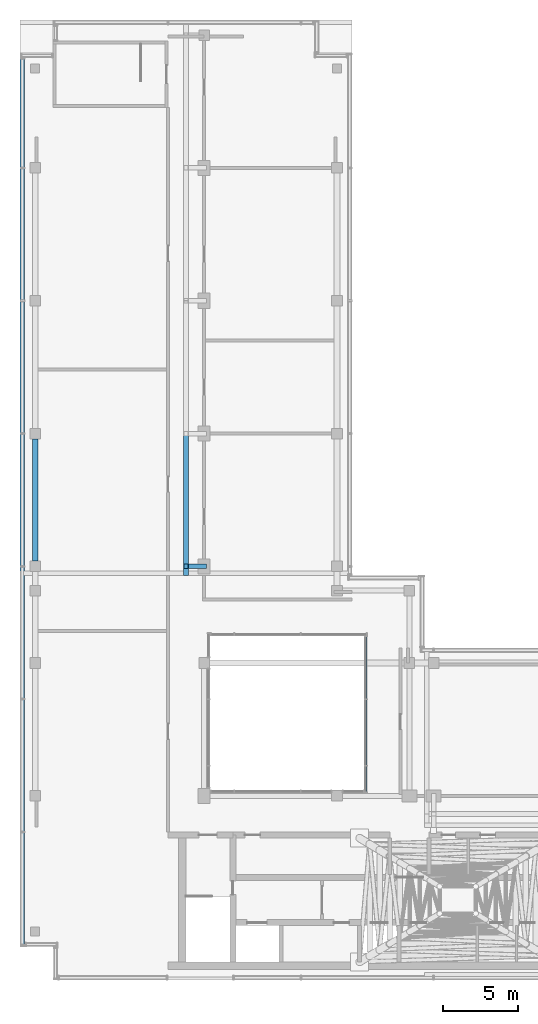
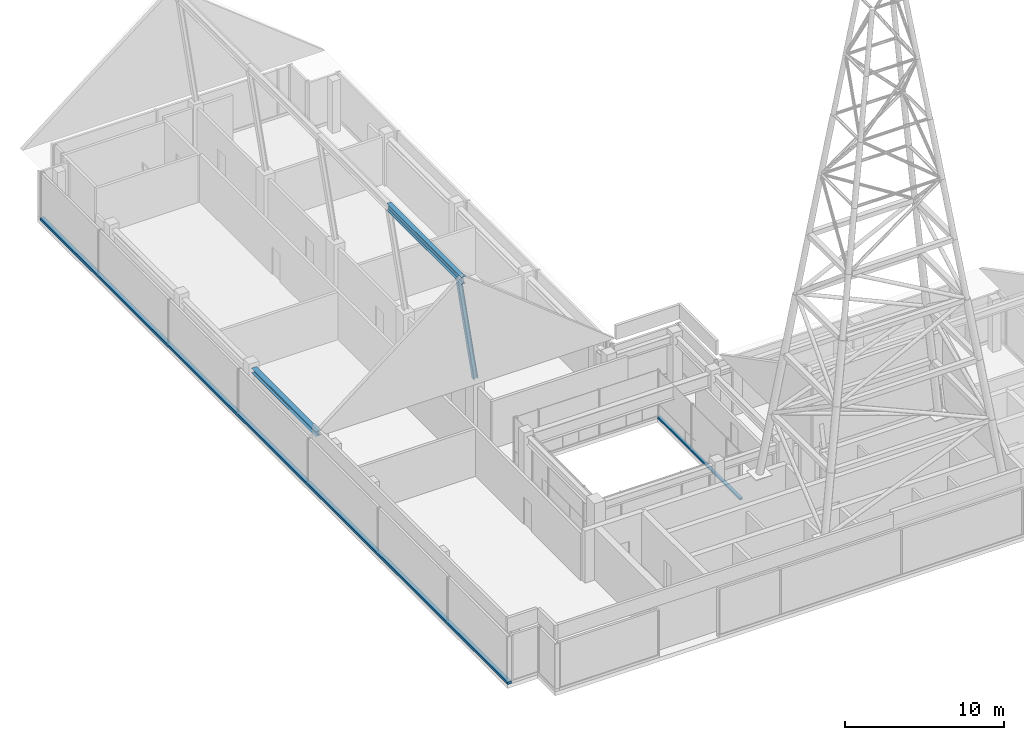
# One storey, part 5 of 13: 3 members, 2 beams, 2 elements without a shape of their own.
"""IFC4 building model written with IfcOpenShell, lengths in metres."""

from ifc_helpers import new_model, si_unit, direction, frame, origin, origin_2d, place, context, subcontext, project, spatial, rectangle, i_section, extrude, material, material_profile, profile_set, type_object, element, aggregate, save


model = new_model("IFC4")

# Units and contexts
model_context = context("Model", 3, precision=1e-05, world=origin(), true_north=direction((0.0, 1.0)))
body_context = subcontext(model_context, "Body", "Model", "MODEL_VIEW")
ifc_project = project(units=[si_unit("LENGTHUNIT", "METRE"), si_unit("AREAUNIT", "SQUARE_METRE"), si_unit("VOLUMEUNIT", "CUBIC_METRE"), si_unit("PLANEANGLEUNIT", "RADIAN"), si_unit("MASSUNIT", "GRAM", prefix="KILO")], contexts=[model_context])

# Site, building, storey
site_placement = place(None, origin())
site = spatial("IfcSite", under=ifc_project, at=site_placement, CompositionType="ELEMENT")
building_placement = place(site_placement, origin())
building = spatial("IfcBuilding", under=site, at=building_placement, Name="Kemantara Hotel Tower", CompositionType="ELEMENT")
storey_placement = place(building_placement, frame((0.0, 0.0, 330.199951171875)))
storey = spatial("IfcBuildingStorey", under=building, at=storey_placement, Name="L83", CompositionType="ELEMENT", Elevation=330.199951171875)

# Curtain wall, member
ifc_material_1 = material(Name="Clear low-iron laminated glass 36 mm", Category="glass")
curtain_wall_type_1 = type_object("IfcCurtainWallType", Name="ATRIUM GLAZING WALL", PredefinedType="USERDEFINED", material=ifc_material_1)
curtain_wall_1_placement = place(storey_placement, origin())
curtain_wall_1 = element("IfcCurtainWall", 1, at=curtain_wall_1_placement, inside=storey, type_object=curtain_wall_type_1, Name="CW5 L83 ATR-R1-1", ObjectType="ATRIUM GLAZING WALL", PredefinedType="USERDEFINED")
ifc_material_2 = material(Name="Aluminium 6063-T6 bronze anodised", Category="aluminium")
ifc_material_profile_1 = material_profile(ifc_material_2, rectangle(XDim=0.199951171875, YDim=0.14990234375, at=origin_2d()), Name="ATRIUM GLAZING WALL TRANSOM")
ifc_profile_set_1 = profile_set([ifc_material_profile_1], Name="Aluminium 6063-T6 bronze anodised")
member_type_1 = type_object("IfcMemberType", Name="ATRIUM GLAZING WALL TRANSOM", PredefinedType="USERDEFINED", material=ifc_profile_set_1)
member_1_placement = place(storey_placement, frame((22.89990234375, 22.800048828125, 0.074951171875), z_axis=(0.0, -1.0, 0.0), x_axis=(1.0, 0.0, 0.0)))
member_1 = element("IfcMember", 2, at=member_1_placement, type_object=member_type_1, Name="CW5 sill transom ATR-R1-1", ObjectType="TRANSOM", PredefinedType="USERDEFINED", context=body_context, shape_type="SweptSolid", body=[
    extrude(rectangle(XDim=0.199951171875, YDim=0.14990234375, at=origin_2d()), origin(), (0.0, 0.0, 1.0), 10.400146484375),
])
aggregate(curtain_wall_1, [member_1])

curtain_wall_type_2 = type_object("IfcCurtainWallType", Name="CROWN LOUVRE SCREEN WALL", PredefinedType="USERDEFINED", material=ifc_material_2)
curtain_wall_2_placement = place(storey_placement, origin())
curtain_wall_2 = element("IfcCurtainWall", 3, at=curtain_wall_2_placement, inside=storey, type_object=curtain_wall_type_2, Name="CW7 L83 CRN-R05-1", ObjectType="CROWN LOUVRE SCREEN WALL", PredefinedType="USERDEFINED")
ifc_material_profile_2 = material_profile(ifc_material_2, rectangle(XDim=0.300048828125, YDim=0.199951171875, at=origin_2d()), Name="CROWN LOUVRE SCREEN WALL TRANSOM")
ifc_profile_set_2 = profile_set([ifc_material_profile_2], Name="Aluminium 6063-T6 bronze anodised")
member_type_2 = type_object("IfcMemberType", Name="CROWN LOUVRE SCREEN WALL TRANSOM", PredefinedType="USERDEFINED", material=ifc_profile_set_2)
member_2_placement = place(storey_placement, frame((0.14990234375, 61.10009765625, 0.10009765625), z_axis=(0.0, -1.0, 0.0), x_axis=(1.0, 0.0, 0.0)))
member_2 = element("IfcMember", 4, at=member_2_placement, type_object=member_type_2, Name="CW7 sill transom CRN-R05-1", ObjectType="TRANSOM", PredefinedType="USERDEFINED", context=body_context, shape_type="SweptSolid", body=[
    extrude(rectangle(XDim=0.300048828125, YDim=0.199951171875, at=origin_2d()), origin(), (0.0, 0.0, 1.0), 58.900146484375),
])
aggregate(curtain_wall_2, [member_2])

# Member
ifc_material_3 = material(Name="Steel ASTM A992 Grade 50", Category="steel")
ifc_material_profile_3 = material_profile(ifc_material_3, i_section(OverallWidth=0.304931640625, OverallDepth=0.306884765625, WebThickness=0.010009765625, FlangeThickness=0.015380859375, at=origin_2d()), Name="W310X97")
ifc_profile_set_3 = profile_set([ifc_material_profile_3], Name="Steel ASTM A992 Grade 50")
member_type_3 = type_object("IfcMemberType", Name="ROOF RIDGE A-FRAME W310X97", PredefinedType="BRACE", material=ifc_profile_set_3)
member_3_placement = place(storey_placement, frame((12.199951171875, 27.39990234375, 4.0), z_axis=(-0.14611875183, 0.0, 0.989267057151), x_axis=(0.0, -1.0, 0.0)))
element("IfcMember", 5, at=member_3_placement, inside=storey, type_object=member_type_3, Name="PEAK B RIDGE A-FRAME 1 LEG 2", PredefinedType="BRACE", context=body_context, shape_type="SweptSolid", body=[
    extrude(i_section(OverallWidth=0.304931640625, OverallDepth=0.306884765625, WebThickness=0.010009765625, FlangeThickness=0.015380859375, at=origin_2d()), origin(), (0.0, 0.0, 1.0), 8.212158203125),
])

# Beams
ifc_material_profile_4 = material_profile(ifc_material_3, i_section(OverallWidth=0.31201171875, OverallDepth=0.5439453125, WebThickness=0.0126953125, FlangeThickness=0.020263671875, at=origin_2d()), Name="W530X150")
ifc_profile_set_4 = profile_set([ifc_material_profile_4], Name="Steel ASTM A992 Grade 50")
beam_type_1 = type_object("IfcBeamType", Name="ROOF RIDGE BEAM W530X150", PredefinedType="BEAM", material=ifc_profile_set_4)
beam_1_placement = place(storey_placement, frame((11.0, 26.800048828125, 12.328125), z_axis=(0.0, 1.0, 0.0), x_axis=(-1.0, 0.0, 0.0)))
element("IfcBeam", 6, at=beam_1_placement, inside=storey, type_object=beam_type_1, Name="PEAK B RIDGE BEAM 1", PredefinedType="BEAM", context=body_context, shape_type="SweptSolid", body=[
    extrude(i_section(OverallWidth=0.31201171875, OverallDepth=0.5439453125, WebThickness=0.0126953125, FlangeThickness=0.020263671875, at=origin_2d()), origin(), (0.0, 0.0, 1.0), 9.39990234375),
])
ifc_material_profile_5 = material_profile(ifc_material_3, i_section(OverallWidth=0.367919921875, OverallDepth=0.35595703125, WebThickness=0.01123046875, FlangeThickness=0.01806640625, at=origin_2d()), Name="W360X134")
ifc_profile_set_5 = profile_set([ifc_material_profile_5], Name="Steel ASTM A992 Grade 50")
beam_type_2 = type_object("IfcBeamType", Name="ROOF RING BEAM W360X134", PredefinedType="BEAM", material=ifc_profile_set_5)
beam_2_placement = place(storey_placement, frame((1.0, 27.75, 3.47216796875), z_axis=(0.0, 1.0, 0.0), x_axis=(-1.0, 0.0, 0.0)))
element("IfcBeam", 7, at=beam_2_placement, inside=storey, type_object=beam_type_2, Name="ROOF RING BEAM 4", PredefinedType="BEAM", context=body_context, shape_type="SweptSolid", body=[
    extrude(i_section(OverallWidth=0.367919921875, OverallDepth=0.35595703125, WebThickness=0.01123046875, FlangeThickness=0.01806640625, at=origin_2d()), origin(), (0.0, 0.0, 1.0), 8.10009765625),
])

save(model, "model.ifc")
